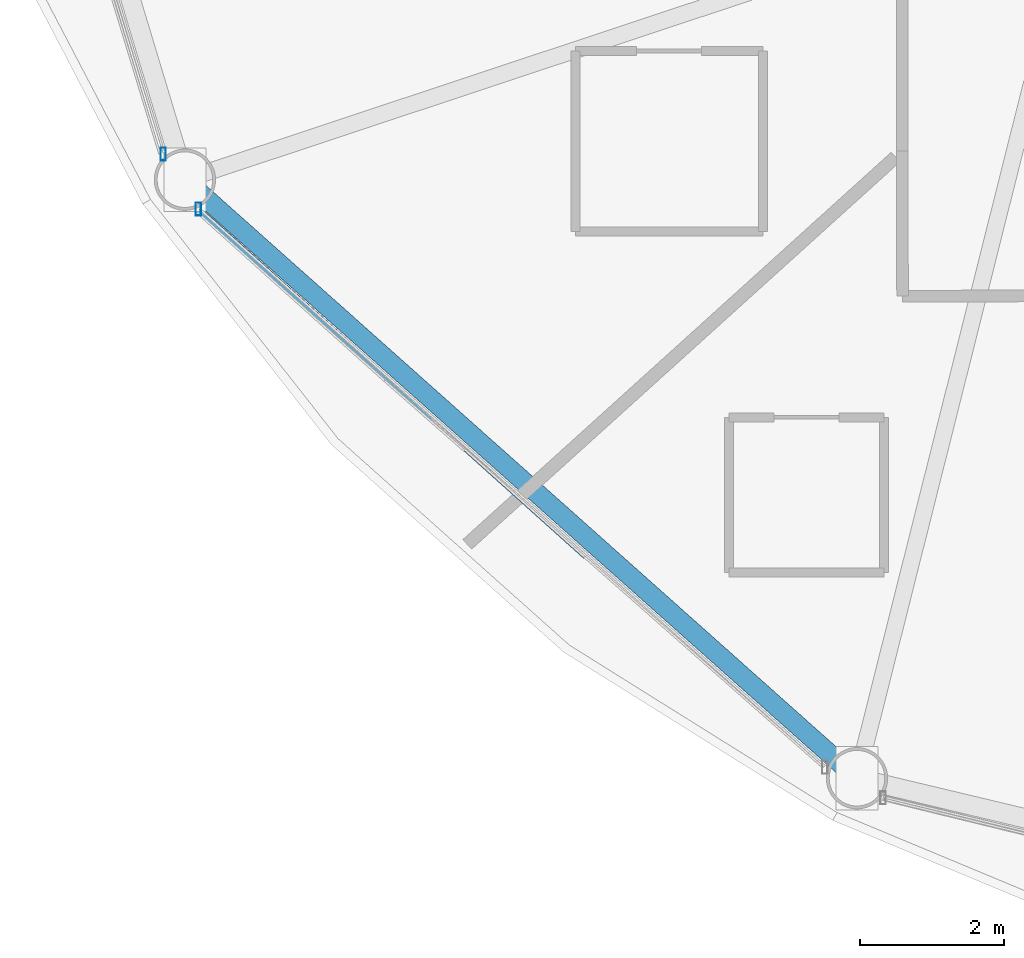
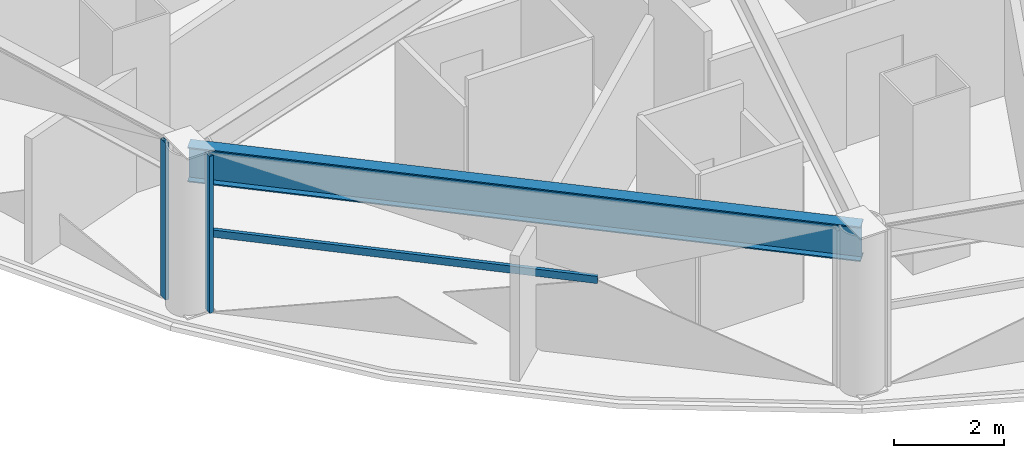
# One storey, part 3 of 31: 3 members, 1 beam, 2 elements without a shape of their own.
"""IFC4 building model written with IfcOpenShell, lengths in metres."""

from ifc_helpers import new_model, si_unit, direction, frame, origin, origin_2d, place, context, subcontext, project, spatial, hollow_rectangle, i_section, extrude, material, layer, layer_set, material_profile, profile_set, type_object, element, aggregate, save


model = new_model("IFC4")

# Units and contexts
model_context = context("Model", 3, precision=1e-05, world=origin(), true_north=direction((0.0, 1.0)))
body_context = subcontext(model_context, "Body", "Model", "MODEL_VIEW")
ifc_project = project(units=[si_unit("LENGTHUNIT", "METRE"), si_unit("AREAUNIT", "SQUARE_METRE"), si_unit("VOLUMEUNIT", "CUBIC_METRE"), si_unit("PLANEANGLEUNIT", "RADIAN"), si_unit("MASSUNIT", "GRAM", prefix="KILO")], contexts=[model_context])

# Site, building, storey
site_placement = place(None, origin())
site = spatial("IfcSite", under=ifc_project, at=site_placement, CompositionType="ELEMENT")
building_placement = place(site_placement, origin())
building = spatial("IfcBuilding", under=site, at=building_placement, Name="Vantalir Tower", CompositionType="ELEMENT")
storey_placement = place(building_placement, frame((0.0, 0.0, 30.75)))
storey = spatial("IfcBuildingStorey", under=building, at=storey_placement, Name="L06", CompositionType="ELEMENT", Elevation=30.75)

# Beam
ifc_material_1 = material(Name="Steel S460", Category="steel")
ifc_material_profile_1 = material_profile(ifc_material_1, i_section(OverallWidth=0.26806640625, OverallDepth=0.77001953125, WebThickness=0.015625, FlangeThickness=0.025390625, at=origin_2d()), Name="Steel S460")
ifc_profile_set_1 = profile_set([ifc_material_profile_1], Name="Steel S460")
beam_type = type_object("IfcBeamType", Name="BM-RG-762x267", PredefinedType="USERDEFINED", material=ifc_profile_set_1)
beam_placement = place(storey_placement, frame((9.4599609375, 13.66796875, 3.18505859375), z_axis=(0.746774014303, -0.665077868795, 0.0), x_axis=(0.665077868795, 0.746774014303, 0.0)))
element("IfcBeam", 1, at=beam_placement, inside=storey, type_object=beam_type, Name="L06 Circumferential Ring Girder 08", ObjectType="GIRDER", PredefinedType="USERDEFINED", context=body_context, shape_type="SweptSolid", body=[
    extrude(i_section(OverallWidth=0.26806640625, OverallDepth=0.77001953125, WebThickness=0.015625, FlangeThickness=0.025390625, at=origin_2d()), origin(), (0.0, 0.0, 1.0), 12.4736328125),
])

# Curtain wall, member
ifc_material_2 = material(Name="Champagne-silver PVDF aluminium and double-silver Low-E glass", Category="aluminium")
ifc_layer = layer(ifc_material_2, 0.18994140625)
ifc_layer_set = layer_set([ifc_layer], Name="Champagne-silver PVDF aluminium and double-silver Low-E glass")
curtain_wall_type = type_object("IfcCurtainWallType", Name="CW-DIAMOND-Z1", PredefinedType="USERDEFINED", material=ifc_layer_set)
curtain_wall_1_placement = place(storey_placement, origin())
curtain_wall_1 = element("IfcCurtainWall", 2, at=curtain_wall_1_placement, inside=storey, type_object=curtain_wall_type, Name="L06 Quilted Pyramid-Diamond Curtain Wall S07", ObjectType="UNITISED CURTAIN WALL", PredefinedType="USERDEFINED")
ifc_material_3 = material(Name="Champagne-silver PVDF aluminium 6063-T6", Category="aluminium")
ifc_material_profile_2 = material_profile(ifc_material_3, hollow_rectangle(XDim=0.074951171875, YDim=0.179931640625, WallThickness=0.00390625, at=origin_2d()), Name="Champagne-silver PVDF aluminium 6063-T6")
ifc_profile_set_2 = profile_set([ifc_material_profile_2], Name="Champagne-silver PVDF aluminium 6063-T6")
member_type_1 = type_object("IfcMemberType", Name="CWM-180x75", PredefinedType="MULLION", material=ifc_profile_set_2)
member_1_placement = place(storey_placement, frame((9.159912109375, 14.02294921875, 0.044921875), z_axis=(0.0, 0.0, 1.0), x_axis=(1.0, 0.0, 0.0)))
member_1 = element("IfcMember", 3, at=member_1_placement, type_object=member_type_1, Name="CW-L06-S07 Mullion 2", PredefinedType="MULLION", context=body_context, shape_type="SweptSolid", body=[
    extrude(hollow_rectangle(XDim=0.074951171875, YDim=0.179931640625, WallThickness=0.00390625, at=origin_2d()), origin(), (0.0, 0.0, 1.0), 3.47998046875),
])
aggregate(curtain_wall_1, [member_1])

# Curtain wall, members
curtain_wall_2_placement = place(storey_placement, origin())
curtain_wall_2 = element("IfcCurtainWall", 4, at=curtain_wall_2_placement, inside=storey, type_object=curtain_wall_type, Name="L06 Quilted Pyramid-Diamond Curtain Wall S08", ObjectType="UNITISED CURTAIN WALL", PredefinedType="USERDEFINED")
member_2_placement = place(storey_placement, frame((9.64599609375, 13.260009765625, 0.044921875), z_axis=(0.0, 0.0, 1.0), x_axis=(1.0, 0.0, 0.0)))
member_2 = element("IfcMember", 5, at=member_2_placement, type_object=member_type_1, Name="CW-L06-S08 Mullion 1", PredefinedType="MULLION", context=body_context, shape_type="SweptSolid", body=[
    extrude(hollow_rectangle(XDim=0.074951171875, YDim=0.179931640625, WallThickness=0.00390625, at=origin_2d()), origin(), (0.0, 0.0, 1.0), 3.47998046875),
])
ifc_material_profile_3 = material_profile(ifc_material_3, hollow_rectangle(XDim=0.074951171875, YDim=0.159912109375, WallThickness=0.00390625, at=origin_2d()), Name="Champagne-silver PVDF aluminium 6063-T6")
ifc_profile_set_3 = profile_set([ifc_material_profile_3], Name="Champagne-silver PVDF aluminium 6063-T6")
member_type_2 = type_object("IfcMemberType", Name="CWT-160x75", PredefinedType="USERDEFINED", material=ifc_profile_set_3)
member_3_placement = place(storey_placement, frame((9.64599609375, 13.260009765625, 1.784912109375), z_axis=(0.744348873439, -0.667790951279, 0.0), x_axis=(0.667790951279, 0.744348873439, 0.0)))
member_3 = element("IfcMember", 6, at=member_3_placement, type_object=member_type_2, Name="CW-L06-S08 Pyramid Fold Ridge Transom", ObjectType="TRANSOM", PredefinedType="USERDEFINED", context=body_context, shape_type="SweptSolid", body=[
    extrude(hollow_rectangle(XDim=0.074951171875, YDim=0.159912109375, WallThickness=0.00390625, at=origin_2d()), origin(), (0.0, 0.0, 1.0), 7.210205078125),
])
aggregate(curtain_wall_2, [member_2, member_3])

save(model, "model.ifc")
